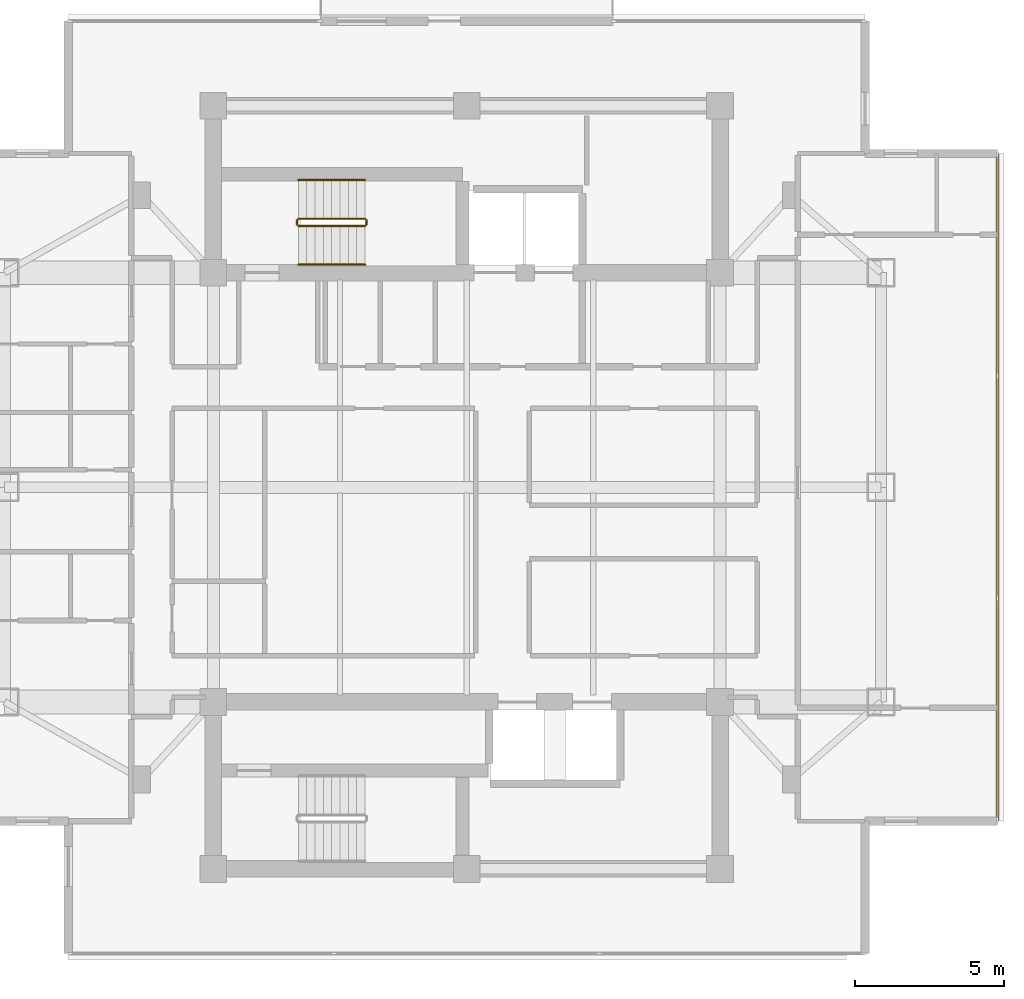
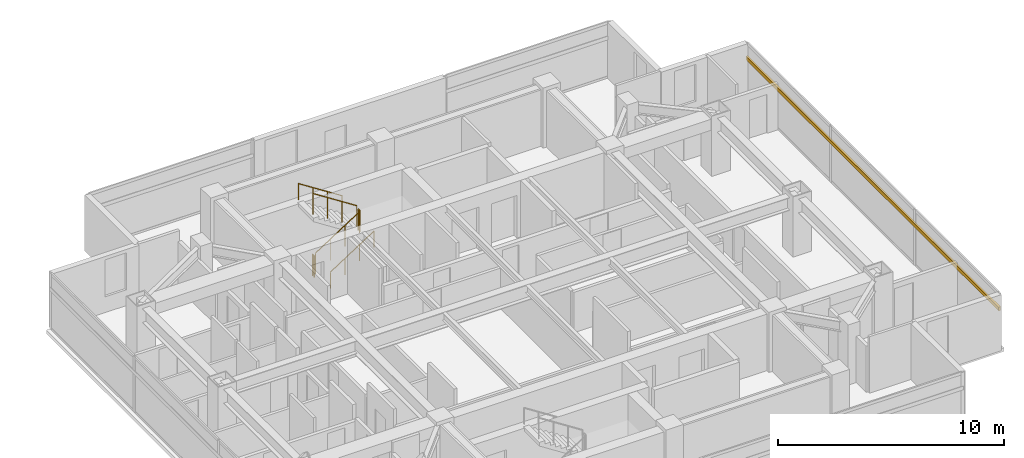
# One storey, part 25 of 26: 6 railings, 1 shading device.
"""IFC4 building model written with IfcOpenShell, lengths in metres."""

from ifc_helpers import new_model, si_unit, direction, frame, origin, origin_2d, place, context, subcontext, project, spatial, rectangle, circle, extrude, material, material_profile, profile_set, type_object, element, save


model = new_model("IFC4")

# Units and contexts
model_context = context("Model", 3, precision=1e-05, world=origin(), true_north=direction((0.0, 1.0)))
body_context = subcontext(model_context, "Body", "Model", "MODEL_VIEW")
ifc_project = project(units=[si_unit("LENGTHUNIT", "METRE"), si_unit("AREAUNIT", "SQUARE_METRE"), si_unit("VOLUMEUNIT", "CUBIC_METRE"), si_unit("PLANEANGLEUNIT", "RADIAN"), si_unit("MASSUNIT", "GRAM", prefix="KILO")], contexts=[model_context])

# Site, building, storey
site_placement = place(None, origin())
site = spatial("IfcSite", under=ifc_project, at=site_placement, CompositionType="ELEMENT")
building_placement = place(site_placement, origin())
building = spatial("IfcBuilding", under=site, at=building_placement, Name="Mirazonda Arch Towers", CompositionType="ELEMENT")
storey_placement = place(building_placement, frame((0.0, 0.0, 203.14990234375)))
storey = spatial("IfcBuildingStorey", under=building, at=storey_placement, Name="L58", CompositionType="ELEMENT", Elevation=203.14990234375)

# Shading device
ifc_material_1 = material(Name="Kiln-Fired Architectural Terracotta", Category="masonry")
ifc_material_profile = material_profile(ifc_material_1, rectangle(XDim=0.10009765625, YDim=0.199951171875, at=origin_2d()), Name="TERRA-BAG-100x200")
ifc_profile_set = profile_set([ifc_material_profile], Name="Kiln-Fired Architectural Terracotta")
shading_device_type = type_object("IfcShadingDeviceType", Name="BAGUETTE-2", PredefinedType="USERDEFINED", material=ifc_profile_set)
shading_device_placement = place(storey_placement, frame((94.305419921875, 16.801513671875, 2.181640625), z_axis=(0.0, 1.0, 0.0), x_axis=(-1.0, 0.0, 0.0)))
element("IfcShadingDevice", 1, at=shading_device_placement, inside=storey, type_object=shading_device_type, Name="L58 Glazed Terracotta Sun-Screen Baguette CW-L58-T2-E", ObjectType="BAGUETTE", PredefinedType="USERDEFINED", context=body_context, shape_type="SweptSolid", body=[
    extrude(rectangle(XDim=0.10009765625, YDim=0.199951171875, at=origin_2d()), origin(), (0.0, 0.0, 1.0), 22.39697265625),
])

# Railings
ifc_material_2 = material(Name="Architectural Brushed Steel S355", Category="steel")
railing_type_1 = type_object("IfcRailingType", Name="GUARD-STAIR-1120", PredefinedType="GUARDRAIL", material=ifc_material_2)
railing_1_placement = place(storey_placement, frame((70.85009765625, 36.77001953125, 0.1806640625)))
element("IfcRailing", 2, at=railing_1_placement, inside=storey, type_object=railing_type_1, Name="L58 ST-T2N stair guard 1", PredefinedType="GUARDRAIL", context=body_context, shape_type="SweptSolid", body=[
    extrude(circle(Radius=0.02392578125, at=origin_2d()), frame((0.0, 0.0, 1.1259765625), z_axis=(0.840436612492, 0.0, 0.541909863706), x_axis=(0.0, 1.0, 0.0)), (0.0, 0.0, 1.0), 2.665283203125),
    extrude(circle(Radius=0.02099609375, at=origin_2d()), origin(), (0.0, 0.0, 1.0), 1.101806640625),
    extrude(circle(Radius=0.02099609375, at=origin_2d()), frame((0.74658203125, 0.0, 0.4814453125)), (0.0, 0.0, 1.0), 1.101806640625),
    extrude(circle(Radius=0.02099609375, at=origin_2d()), frame((1.493408203125, 0.0, 0.962890625)), (0.0, 0.0, 1.0), 1.101806640625),
    extrude(circle(Radius=0.02099609375, at=origin_2d()), frame((2.239990234375, 0.0, 1.4443359375)), (0.0, 0.0, 1.0), 1.101806640625),
])
railing_2_placement = place(storey_placement, frame((73.139892578125, 36.820068359375, 1.625)))
element("IfcRailing", 3, at=railing_2_placement, inside=storey, type_object=railing_type_1, Name="L58 ST-T2N stair guard 2", PredefinedType="GUARDRAIL", context=body_context, shape_type="SweptSolid", body=[
    extrude(circle(Radius=0.02392578125, at=origin_2d()), frame((0.0, 0.0, 1.1259765625), z_axis=(0.0, 1.0, 0.0), x_axis=(-1.0, 0.0, 0.0)), (0.0, 0.0, 1.0), 0.139892578125),
    extrude(circle(Radius=0.02099609375, at=origin_2d()), origin(), (0.0, 0.0, 1.0), 1.101806640625),
    extrude(circle(Radius=0.02099609375, at=origin_2d()), frame((0.0, 0.139892578125, 0.0)), (0.0, 0.0, 1.0), 1.101806640625),
])
railing_3_placement = place(storey_placement, frame((73.090087890625, 37.010009765625, 1.8056640625)))
element("IfcRailing", 4, at=railing_3_placement, inside=storey, type_object=railing_type_1, Name="L58 ST-T2N stair guard 3", PredefinedType="GUARDRAIL", context=body_context, shape_type="SweptSolid", body=[
    extrude(circle(Radius=0.02392578125, at=origin_2d()), frame((0.0, 0.0, 1.1259765625), z_axis=(-0.840436612492, 0.0, 0.541909863706), x_axis=(0.0, -1.0, 0.0)), (0.0, 0.0, 1.0), 2.665283203125),
    extrude(circle(Radius=0.02099609375, at=origin_2d()), origin(), (0.0, 0.0, 1.0), 1.101806640625),
    extrude(circle(Radius=0.02099609375, at=origin_2d()), frame((-0.74658203125, 0.0, 0.4814453125)), (0.0, 0.0, 1.0), 1.101806640625),
    extrude(circle(Radius=0.02099609375, at=origin_2d()), frame((-1.493408203125, 0.0, 0.962890625)), (0.0, 0.0, 1.0), 1.101806640625),
    extrude(circle(Radius=0.02099609375, at=origin_2d()), frame((-2.239990234375, 0.0, 1.4443359375)), (0.0, 0.0, 1.0), 1.101806640625),
])
railing_4_placement = place(storey_placement, frame((70.800048828125, 36.820068359375, 0.0)))
element("IfcRailing", 5, at=railing_4_placement, inside=storey, type_object=railing_type_1, Name="L58 ST-T2N stair guard 4", PredefinedType="GUARDRAIL", context=body_context, shape_type="SweptSolid", body=[
    extrude(circle(Radius=0.02392578125, at=origin_2d()), frame((0.0, 0.0, 1.1259765625), z_axis=(0.0, 1.0, 0.0), x_axis=(-1.0, 0.0, 0.0)), (0.0, 0.0, 1.0), 0.139892578125),
    extrude(circle(Radius=0.02099609375, at=origin_2d()), origin(), (0.0, 0.0, 1.0), 1.101806640625),
    extrude(circle(Radius=0.02099609375, at=origin_2d()), frame((0.0, 0.139892578125, 0.0)), (0.0, 0.0, 1.0), 1.101806640625),
])
railing_type_2 = type_object("IfcRailingType", Name="HANDRAIL-915", PredefinedType="HANDRAIL", material=ifc_material_2)
railing_5_placement = place(storey_placement, frame((70.85009765625, 35.469970703125, 0.1806640625)))
element("IfcRailing", 6, at=railing_5_placement, inside=storey, type_object=railing_type_2, Name="L58 ST-T2N stair handrail 1", PredefinedType="HANDRAIL", context=body_context, shape_type="SweptSolid", body=[
    extrude(circle(Radius=0.02392578125, at=origin_2d()), frame((0.0, 0.0, 0.8759765625), z_axis=(0.840436612492, 0.0, 0.541909863706), x_axis=(0.0, 1.0, 0.0)), (0.0, 0.0, 1.0), 2.665283203125),
    extrude(circle(Radius=0.02099609375, at=origin_2d()), origin(), (0.0, 0.0, 1.0), 0.851806640625),
    extrude(circle(Radius=0.02099609375, at=origin_2d()), frame((0.74658203125, 0.0, 0.4814453125)), (0.0, 0.0, 1.0), 0.851806640625),
    extrude(circle(Radius=0.02099609375, at=origin_2d()), frame((1.493408203125, 0.0, 0.962890625)), (0.0, 0.0, 1.0), 0.851806640625),
    extrude(circle(Radius=0.02099609375, at=origin_2d()), frame((2.239990234375, 0.0, 1.4443359375)), (0.0, 0.0, 1.0), 0.851806640625),
])
railing_6_placement = place(storey_placement, frame((73.090087890625, 38.31005859375, 1.8056640625)))
element("IfcRailing", 7, at=railing_6_placement, inside=storey, type_object=railing_type_2, Name="L58 ST-T2N stair handrail 2", PredefinedType="HANDRAIL", context=body_context, shape_type="SweptSolid", body=[
    extrude(circle(Radius=0.02392578125, at=origin_2d()), frame((0.0, 0.0, 0.8759765625), z_axis=(-0.840436612492, 0.0, 0.541909863706), x_axis=(0.0, -1.0, 0.0)), (0.0, 0.0, 1.0), 2.665283203125),
    extrude(circle(Radius=0.02099609375, at=origin_2d()), origin(), (0.0, 0.0, 1.0), 0.851806640625),
    extrude(circle(Radius=0.02099609375, at=origin_2d()), frame((-0.74658203125, 0.0, 0.4814453125)), (0.0, 0.0, 1.0), 0.851806640625),
    extrude(circle(Radius=0.02099609375, at=origin_2d()), frame((-1.493408203125, 0.0, 0.962890625)), (0.0, 0.0, 1.0), 0.851806640625),
    extrude(circle(Radius=0.02099609375, at=origin_2d()), frame((-2.239990234375, 0.0, 1.4443359375)), (0.0, 0.0, 1.0), 0.851806640625),
])

save(model, "model.ifc")
